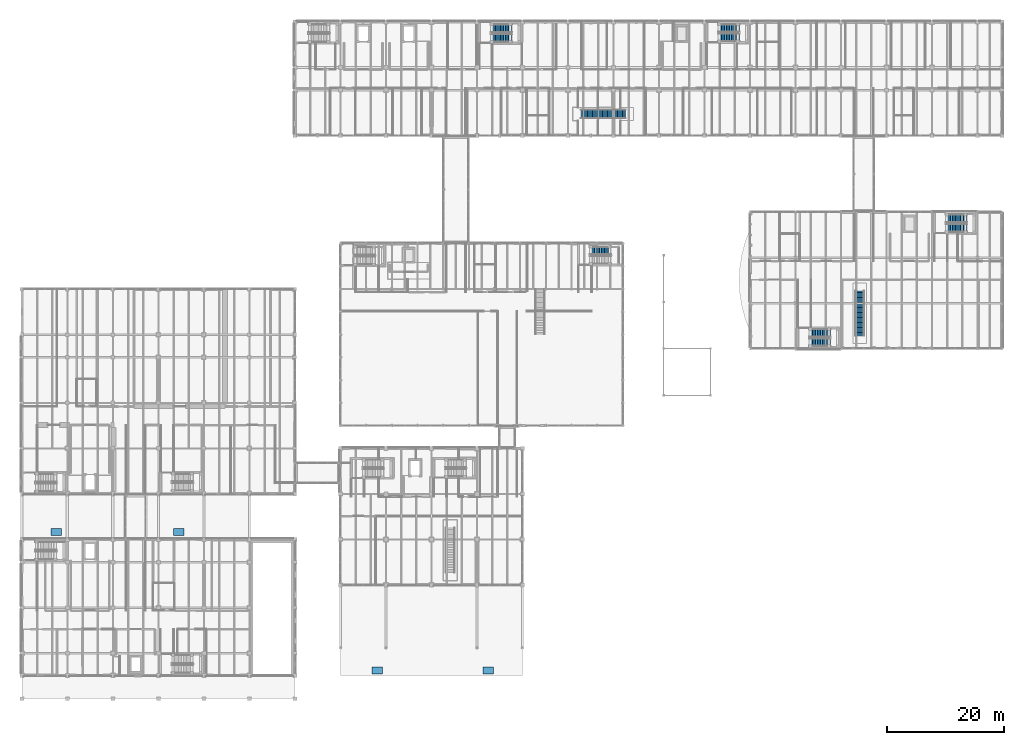
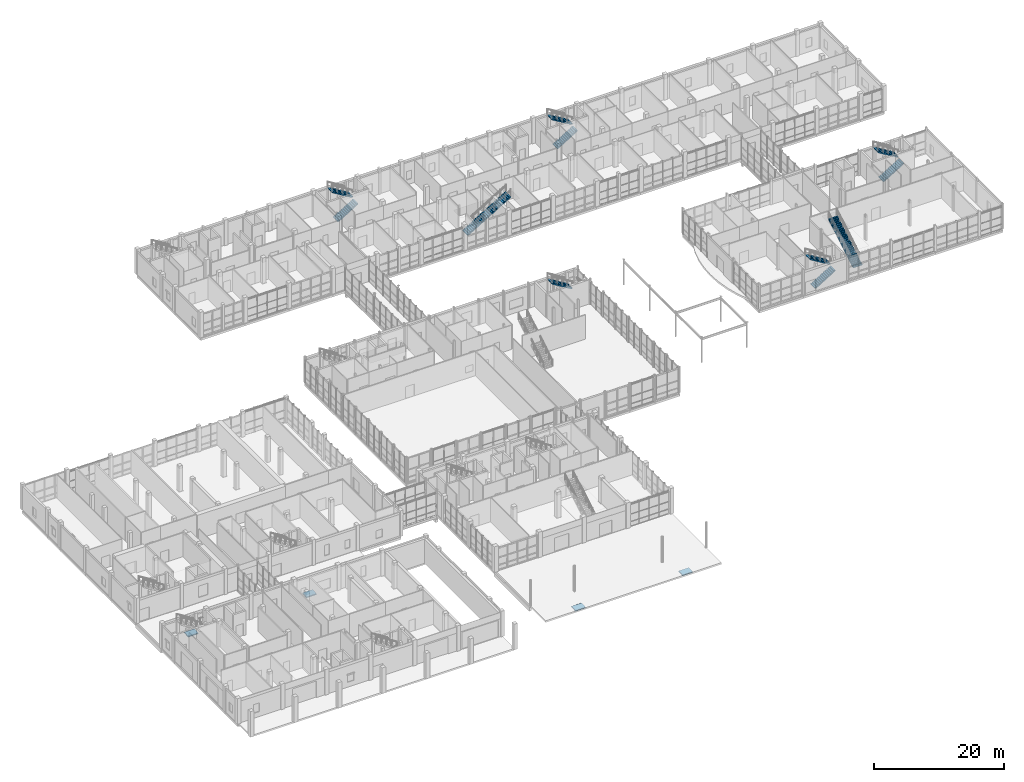
# One storey, part 107 of 131: 11 stair flights, 4 ramp flights, 11 elements without a shape of their own.
"""IFC4 building model written with IfcOpenShell, lengths in metres."""

from ifc_helpers import new_model, si_unit, direction, frame, origin, place, context, subcontext, project, spatial, polyline, outline, extrude, material, layer, layer_set, type_object, element, aggregate, save


model = new_model("IFC4")

# Units and contexts
model_context = context("Model", 3, precision=1e-05, world=origin(), true_north=direction((0.0, 1.0)))
body_context = subcontext(model_context, "Body", "Model", "MODEL_VIEW")
ifc_project = project(units=[si_unit("LENGTHUNIT", "METRE"), si_unit("AREAUNIT", "SQUARE_METRE"), si_unit("VOLUMEUNIT", "CUBIC_METRE"), si_unit("PLANEANGLEUNIT", "RADIAN"), si_unit("MASSUNIT", "GRAM", prefix="KILO")], contexts=[model_context])

# Site, building, storey
site_placement = place(None, origin())
site = spatial("IfcSite", under=ifc_project, at=site_placement, CompositionType="ELEMENT")
building_placement = place(site_placement, origin())
building = spatial("IfcBuilding", under=site, at=building_placement, Name="Celorna Specialist Clinic", CompositionType="ELEMENT")
storey_placement = place(building_placement, origin())
storey = spatial("IfcBuildingStorey", under=building, at=storey_placement, Name="L00", CompositionType="ELEMENT", Elevation=0.0)

# Stair, stair flights
ifc_material = material(Name="Concrete C35/45", Category="concrete")
stair_type_1 = type_object("IfcStairType", Name="ST-02", PredefinedType="HALF_TURN_STAIR", material=ifc_material)
stair_1_placement = place(storey_placement, origin())
stair_1 = element("IfcStair", 1, at=stair_1_placement, inside=storey, type_object=stair_type_1, Name="L00 Protected exit stair ST-02", PredefinedType="HALF_TURN_STAIR")
stair_flight_type_1 = type_object("IfcStairFlightType", Name="SFL-02", PredefinedType="STRAIGHT", material=ifc_material)
stair_flight_1_placement = place(storey_placement, frame((80.340087890625, 113.2451171875, 0.0), z_axis=(0.0, 0.0, 1.0), x_axis=(1.0, 0.0, 0.0)))
stair_flight_1 = element("IfcStairFlight", 2, at=stair_flight_1_placement, type_object=stair_flight_type_1, Name="ST-02 flight 1", NumberOfRisers=14, NumberOfTreads=13, PredefinedType="STRAIGHT", RiserHeight=0.171428571, TreadLength=0.28, context=body_context, shape_type="SweptSolid", body=[
    extrude(outline(polyline([(0.0, 0.0), (0.0, 0.17138671875), (0.280029296875, 0.17138671875), (0.280029296875, 0.3427734375), (0.56005859375, 0.3427734375), (0.56005859375, 0.514404296875), (0.840087890625, 0.514404296875), (0.840087890625, 0.685791015625), (1.1201171875, 0.685791015625), (1.1201171875, 0.857177734375), (1.39990234375, 0.857177734375), (1.39990234375, 1.028564453125), (1.679931640625, 1.028564453125), (1.679931640625, 1.199951171875), (1.9599609375, 1.199951171875), (1.9599609375, 1.371337890625), (2.239990234375, 1.371337890625), (2.239990234375, 1.54296875), (2.52001953125, 1.54296875), (2.52001953125, 1.71435546875), (2.800048828125, 1.71435546875), (2.800048828125, 1.8857421875), (3.080078125, 1.8857421875), (3.080078125, 2.05712890625), (3.360107421875, 2.05712890625), (3.360107421875, 2.228515625), (3.639892578125, 2.228515625), (3.639892578125, 2.39990234375), (3.639892578125, 2.052734375), (0.287109375, 0.0), (0.0, 0.0)])), frame((0.0, 0.72509765625, 0.0), z_axis=(0.0, -1.0, 0.0), x_axis=(1.0, 0.0, 0.0)), (0.0, 0.0, 1.0), 1.449951171875),
])
stair_flight_2_placement = place(storey_placement, frame((83.97998046875, 114.89501953125, 2.39990234375), z_axis=(0.0, 0.0, 1.0), x_axis=(-1.0, 0.0, 0.0)))
stair_flight_2 = element("IfcStairFlight", 3, at=stair_flight_2_placement, type_object=stair_flight_type_1, Name="ST-02 flight 2", NumberOfRisers=14, NumberOfTreads=13, PredefinedType="STRAIGHT", RiserHeight=0.171428571, TreadLength=0.28, context=body_context, shape_type="SweptSolid", body=[
    extrude(outline(polyline([(0.0, 0.0), (0.0, 0.17138671875), (0.280029296875, 0.17138671875), (0.280029296875, 0.3427734375), (0.56005859375, 0.3427734375), (0.56005859375, 0.514404296875), (0.840087890625, 0.514404296875), (0.840087890625, 0.685791015625), (1.1201171875, 0.685791015625), (1.1201171875, 0.857177734375), (1.39990234375, 0.857177734375), (1.39990234375, 1.028564453125), (1.679931640625, 1.028564453125), (1.679931640625, 1.199951171875), (1.9599609375, 1.199951171875), (1.9599609375, 1.371337890625), (2.239990234375, 1.371337890625), (2.239990234375, 1.54296875), (2.52001953125, 1.54296875), (2.52001953125, 1.71435546875), (2.800048828125, 1.71435546875), (2.800048828125, 1.8857421875), (3.080078125, 1.8857421875), (3.080078125, 2.05712890625), (3.360107421875, 2.05712890625), (3.360107421875, 2.228515625), (3.639892578125, 2.228515625), (3.639892578125, 2.39990234375), (3.639892578125, 2.052734375), (0.287109375, 0.0), (0.0, 0.0)])), frame((0.0, 0.72509765625, 0.0), z_axis=(0.0, -1.0, 0.0), x_axis=(1.0, 0.0, 0.0)), (0.0, 0.0, 1.0), 1.449951171875),
])
aggregate(stair_1, [stair_flight_1, stair_flight_2])

stair_2_placement = place(storey_placement, origin())
stair_2 = element("IfcStair", 4, at=stair_2_placement, inside=storey, type_object=stair_type_1, Name="L00 Protected exit stair ST-12", PredefinedType="HALF_TURN_STAIR")
stair_flight_3_placement = place(storey_placement, frame((158.340087890625, 80.64501953125, 0.0), z_axis=(0.0, 0.0, 1.0), x_axis=(1.0, 0.0, 0.0)))
stair_flight_3 = element("IfcStairFlight", 5, at=stair_flight_3_placement, type_object=stair_flight_type_1, Name="ST-12 flight 1", NumberOfRisers=14, NumberOfTreads=13, PredefinedType="STRAIGHT", RiserHeight=0.171428571, TreadLength=0.28, context=body_context, shape_type="SweptSolid", body=[
    extrude(outline(polyline([(0.0, 0.0), (0.0, 0.17138671875), (0.280029296875, 0.17138671875), (0.280029296875, 0.3427734375), (0.56005859375, 0.3427734375), (0.56005859375, 0.514404296875), (0.840087890625, 0.514404296875), (0.840087890625, 0.685791015625), (1.1201171875, 0.685791015625), (1.1201171875, 0.857177734375), (1.39990234375, 0.857177734375), (1.39990234375, 1.028564453125), (1.679931640625, 1.028564453125), (1.679931640625, 1.199951171875), (1.9599609375, 1.199951171875), (1.9599609375, 1.371337890625), (2.239990234375, 1.371337890625), (2.239990234375, 1.54296875), (2.52001953125, 1.54296875), (2.52001953125, 1.71435546875), (2.800048828125, 1.71435546875), (2.800048828125, 1.8857421875), (3.080078125, 1.8857421875), (3.080078125, 2.05712890625), (3.360107421875, 2.05712890625), (3.360107421875, 2.228515625), (3.639892578125, 2.228515625), (3.639892578125, 2.39990234375), (3.639892578125, 2.052734375), (0.287109375, 0.0), (0.0, 0.0)])), frame((0.0, 0.72509765625, 0.0), z_axis=(0.0, -1.0, 0.0), x_axis=(1.0, 0.0, 0.0)), (0.0, 0.0, 1.0), 1.449951171875),
])
stair_flight_4_placement = place(storey_placement, frame((161.97998046875, 82.294921875, 2.39990234375), z_axis=(0.0, 0.0, 1.0), x_axis=(-1.0, 0.0, 0.0)))
stair_flight_4 = element("IfcStairFlight", 6, at=stair_flight_4_placement, type_object=stair_flight_type_1, Name="ST-12 flight 2", NumberOfRisers=14, NumberOfTreads=13, PredefinedType="STRAIGHT", RiserHeight=0.171428571, TreadLength=0.28, context=body_context, shape_type="SweptSolid", body=[
    extrude(outline(polyline([(0.0, 0.0), (0.0, 0.17138671875), (0.280029296875, 0.17138671875), (0.280029296875, 0.3427734375), (0.56005859375, 0.3427734375), (0.56005859375, 0.514404296875), (0.840087890625, 0.514404296875), (0.840087890625, 0.685791015625), (1.1201171875, 0.685791015625), (1.1201171875, 0.857177734375), (1.39990234375, 0.857177734375), (1.39990234375, 1.028564453125), (1.679931640625, 1.028564453125), (1.679931640625, 1.199951171875), (1.9599609375, 1.199951171875), (1.9599609375, 1.371337890625), (2.239990234375, 1.371337890625), (2.239990234375, 1.54296875), (2.52001953125, 1.54296875), (2.52001953125, 1.71435546875), (2.800048828125, 1.71435546875), (2.800048828125, 1.8857421875), (3.080078125, 1.8857421875), (3.080078125, 2.05712890625), (3.360107421875, 2.05712890625), (3.360107421875, 2.228515625), (3.639892578125, 2.228515625), (3.639892578125, 2.39990234375), (3.639892578125, 2.052734375), (0.287109375, 0.0), (0.0, 0.0)])), frame((0.0, 0.72509765625, 0.0), z_axis=(0.0, -1.0, 0.0), x_axis=(1.0, 0.0, 0.0)), (0.0, 0.0, 1.0), 1.449951171875),
])
aggregate(stair_2, [stair_flight_3, stair_flight_4])

stair_type_2 = type_object("IfcStairType", Name="ST-03", PredefinedType="HALF_TURN_STAIR", material=ifc_material)
stair_3_placement = place(storey_placement, origin())
stair_3 = element("IfcStair", 7, at=stair_3_placement, inside=storey, type_object=stair_type_2, Name="L00 Protected exit stair ST-03", PredefinedType="HALF_TURN_STAIR")
stair_flight_type_2 = type_object("IfcStairFlightType", Name="SFL-03", PredefinedType="STRAIGHT", material=ifc_material)
stair_flight_5_placement = place(storey_placement, frame((119.340087890625, 113.320068359375, 0.0), z_axis=(0.0, 0.0, 1.0), x_axis=(1.0, 0.0, 0.0)))
stair_flight_5 = element("IfcStairFlight", 8, at=stair_flight_5_placement, type_object=stair_flight_type_2, Name="ST-03 flight 1", NumberOfRisers=14, NumberOfTreads=13, PredefinedType="STRAIGHT", RiserHeight=0.171428571, TreadLength=0.28, context=body_context, shape_type="SweptSolid", body=[
    extrude(outline(polyline([(0.0, 0.0), (0.0, 0.17138671875), (0.280029296875, 0.17138671875), (0.280029296875, 0.3427734375), (0.56005859375, 0.3427734375), (0.56005859375, 0.514404296875), (0.840087890625, 0.514404296875), (0.840087890625, 0.685791015625), (1.1201171875, 0.685791015625), (1.1201171875, 0.857177734375), (1.39990234375, 0.857177734375), (1.39990234375, 1.028564453125), (1.679931640625, 1.028564453125), (1.679931640625, 1.199951171875), (1.9599609375, 1.199951171875), (1.9599609375, 1.371337890625), (2.239990234375, 1.371337890625), (2.239990234375, 1.54296875), (2.52001953125, 1.54296875), (2.52001953125, 1.71435546875), (2.800048828125, 1.71435546875), (2.800048828125, 1.8857421875), (3.080078125, 1.8857421875), (3.080078125, 2.05712890625), (3.360107421875, 2.05712890625), (3.360107421875, 2.228515625), (3.639892578125, 2.228515625), (3.639892578125, 2.39990234375), (3.639892578125, 2.052734375), (0.287109375, 0.0), (0.0, 0.0)])), frame((0.0, 0.699951171875, 0.0), z_axis=(0.0, -1.0, 0.0), x_axis=(1.0, 0.0, 0.0)), (0.0, 0.0, 1.0), 1.39990234375),
])
stair_flight_6_placement = place(storey_placement, frame((122.97998046875, 114.919921875, 2.39990234375), z_axis=(0.0, 0.0, 1.0), x_axis=(-1.0, 0.0, 0.0)))
stair_flight_6 = element("IfcStairFlight", 9, at=stair_flight_6_placement, type_object=stair_flight_type_2, Name="ST-03 flight 2", NumberOfRisers=14, NumberOfTreads=13, PredefinedType="STRAIGHT", RiserHeight=0.171428571, TreadLength=0.28, context=body_context, shape_type="SweptSolid", body=[
    extrude(outline(polyline([(0.0, 0.0), (0.0, 0.17138671875), (0.280029296875, 0.17138671875), (0.280029296875, 0.3427734375), (0.56005859375, 0.3427734375), (0.56005859375, 0.514404296875), (0.840087890625, 0.514404296875), (0.840087890625, 0.685791015625), (1.1201171875, 0.685791015625), (1.1201171875, 0.857177734375), (1.39990234375, 0.857177734375), (1.39990234375, 1.028564453125), (1.679931640625, 1.028564453125), (1.679931640625, 1.199951171875), (1.9599609375, 1.199951171875), (1.9599609375, 1.371337890625), (2.239990234375, 1.371337890625), (2.239990234375, 1.54296875), (2.52001953125, 1.54296875), (2.52001953125, 1.71435546875), (2.800048828125, 1.71435546875), (2.800048828125, 1.8857421875), (3.080078125, 1.8857421875), (3.080078125, 2.05712890625), (3.360107421875, 2.05712890625), (3.360107421875, 2.228515625), (3.639892578125, 2.228515625), (3.639892578125, 2.39990234375), (3.639892578125, 2.052734375), (0.287109375, 0.0), (0.0, 0.0)])), frame((0.0, 0.699951171875, 0.0), z_axis=(0.0, -1.0, 0.0), x_axis=(1.0, 0.0, 0.0)), (0.0, 0.0, 1.0), 1.39990234375),
])
aggregate(stair_3, [stair_flight_5, stair_flight_6])

# Stair, stair flight
stair_4_placement = place(storey_placement, origin())
stair_4 = element("IfcStair", 10, at=stair_4_placement, inside=storey, type_object=stair_type_2, Name="L00 Protected exit stair ST-11", PredefinedType="HALF_TURN_STAIR")
stair_flight_7_placement = place(storey_placement, frame((100.97998046875, 76.780029296875, 2.39990234375), z_axis=(0.0, 0.0, 1.0), x_axis=(-1.0, 0.0, 0.0)))
stair_flight_7 = element("IfcStairFlight", 11, at=stair_flight_7_placement, type_object=stair_flight_type_2, Name="ST-11 flight 2", NumberOfRisers=14, NumberOfTreads=13, PredefinedType="STRAIGHT", RiserHeight=0.171428571, TreadLength=0.28, context=body_context, shape_type="SweptSolid", body=[
    extrude(outline(polyline([(0.0, 0.0), (0.0, 0.17138671875), (0.280029296875, 0.17138671875), (0.280029296875, 0.3427734375), (0.56005859375, 0.3427734375), (0.56005859375, 0.514404296875), (0.840087890625, 0.514404296875), (0.840087890625, 0.685791015625), (1.1201171875, 0.685791015625), (1.1201171875, 0.857177734375), (1.39990234375, 0.857177734375), (1.39990234375, 1.028564453125), (1.679931640625, 1.028564453125), (1.679931640625, 1.199951171875), (1.9599609375, 1.199951171875), (1.9599609375, 1.371337890625), (2.239990234375, 1.371337890625), (2.239990234375, 1.54296875), (2.52001953125, 1.54296875), (2.52001953125, 1.71435546875), (2.800048828125, 1.71435546875), (2.800048828125, 1.8857421875), (3.080078125, 1.8857421875), (3.080078125, 2.05712890625), (3.360107421875, 2.05712890625), (3.360107421875, 2.228515625), (3.639892578125, 2.228515625), (3.639892578125, 2.39990234375), (3.639892578125, 2.052734375), (0.287109375, 0.0), (0.0, 0.0)])), frame((0.0, 0.699951171875, 0.0), z_axis=(0.0, -1.0, 0.0), x_axis=(1.0, 0.0, 0.0)), (0.0, 0.0, 1.0), 1.39990234375),
])
aggregate(stair_4, [stair_flight_7])

# Stair, stair flights
stair_5_placement = place(storey_placement, origin())
stair_5 = element("IfcStair", 12, at=stair_5_placement, inside=storey, type_object=stair_type_2, Name="L00 Protected exit stair ST-13", PredefinedType="HALF_TURN_STAIR")
stair_flight_8_placement = place(storey_placement, frame((134.93994140625, 61.080078125, 0.0), z_axis=(0.0, 0.0, 1.0), x_axis=(1.0, 0.0, 0.0)))
stair_flight_8 = element("IfcStairFlight", 13, at=stair_flight_8_placement, type_object=stair_flight_type_2, Name="ST-13 flight 1", NumberOfRisers=14, NumberOfTreads=13, PredefinedType="STRAIGHT", RiserHeight=0.171428571, TreadLength=0.28, context=body_context, shape_type="SweptSolid", body=[
    extrude(outline(polyline([(0.0, 0.0), (0.0, 0.17138671875), (0.280029296875, 0.17138671875), (0.280029296875, 0.3427734375), (0.56005859375, 0.3427734375), (0.56005859375, 0.514404296875), (0.840087890625, 0.514404296875), (0.840087890625, 0.685791015625), (1.1201171875, 0.685791015625), (1.1201171875, 0.857177734375), (1.39990234375, 0.857177734375), (1.39990234375, 1.028564453125), (1.679931640625, 1.028564453125), (1.679931640625, 1.199951171875), (1.9599609375, 1.199951171875), (1.9599609375, 1.371337890625), (2.239990234375, 1.371337890625), (2.239990234375, 1.54296875), (2.52001953125, 1.54296875), (2.52001953125, 1.71435546875), (2.800048828125, 1.71435546875), (2.800048828125, 1.8857421875), (3.080078125, 1.8857421875), (3.080078125, 2.05712890625), (3.360107421875, 2.05712890625), (3.360107421875, 2.228515625), (3.639892578125, 2.228515625), (3.639892578125, 2.39990234375), (3.639892578125, 2.052734375), (0.287109375, 0.0), (0.0, 0.0)])), frame((0.0, 0.699951171875, 0.0), z_axis=(0.0, -1.0, 0.0), x_axis=(1.0, 0.0, 0.0)), (0.0, 0.0, 1.0), 1.39990234375),
])
stair_flight_9_placement = place(storey_placement, frame((138.580078125, 62.679931640625, 2.39990234375), z_axis=(0.0, 0.0, 1.0), x_axis=(-1.0, 0.0, 0.0)))
stair_flight_9 = element("IfcStairFlight", 14, at=stair_flight_9_placement, type_object=stair_flight_type_2, Name="ST-13 flight 2", NumberOfRisers=14, NumberOfTreads=13, PredefinedType="STRAIGHT", RiserHeight=0.171428571, TreadLength=0.28, context=body_context, shape_type="SweptSolid", body=[
    extrude(outline(polyline([(0.0, 0.0), (0.0, 0.17138671875), (0.280029296875, 0.17138671875), (0.280029296875, 0.3427734375), (0.56005859375, 0.3427734375), (0.56005859375, 0.514404296875), (0.840087890625, 0.514404296875), (0.840087890625, 0.685791015625), (1.1201171875, 0.685791015625), (1.1201171875, 0.857177734375), (1.39990234375, 0.857177734375), (1.39990234375, 1.028564453125), (1.679931640625, 1.028564453125), (1.679931640625, 1.199951171875), (1.9599609375, 1.199951171875), (1.9599609375, 1.371337890625), (2.239990234375, 1.371337890625), (2.239990234375, 1.54296875), (2.52001953125, 1.54296875), (2.52001953125, 1.71435546875), (2.800048828125, 1.71435546875), (2.800048828125, 1.8857421875), (3.080078125, 1.8857421875), (3.080078125, 2.05712890625), (3.360107421875, 2.05712890625), (3.360107421875, 2.228515625), (3.639892578125, 2.228515625), (3.639892578125, 2.39990234375), (3.639892578125, 2.052734375), (0.287109375, 0.0), (0.0, 0.0)])), frame((0.0, 0.699951171875, 0.0), z_axis=(0.0, -1.0, 0.0), x_axis=(1.0, 0.0, 0.0)), (0.0, 0.0, 1.0), 1.39990234375),
])
aggregate(stair_5, [stair_flight_8, stair_flight_9])

# Stair, stair flight
stair_type_3 = type_object("IfcStairType", Name="ST-05", PredefinedType="STRAIGHT_RUN_STAIR", material=ifc_material)
stair_6_placement = place(storey_placement, origin())
stair_6 = element("IfcStair", 15, at=stair_6_placement, inside=storey, type_object=stair_type_3, Name="Feature straight stair ST-18 L00", PredefinedType="STRAIGHT_RUN_STAIR")
stair_flight_type_3 = type_object("IfcStairFlightType", Name="SFL-05", PredefinedType="STRAIGHT", material=ifc_material)
stair_flight_10_placement = place(storey_placement, frame((143.60009765625, 62.199951171875, 0.0), z_axis=(0.0, 0.0, 1.0), x_axis=(0.0, 1.0, 0.0)))
stair_flight_10 = element("IfcStairFlight", 16, at=stair_flight_10_placement, type_object=stair_flight_type_3, Name="ST-18 flight 1", NumberOfRisers=28, NumberOfTreads=27, PredefinedType="STRAIGHT", RiserHeight=0.171428571, TreadLength=0.285, context=body_context, shape_type="SweptSolid", body=[
    extrude(outline(polyline([(0.0, 0.0), (0.0, 0.17138671875), (0.284912109375, 0.17138671875), (0.284912109375, 0.3427734375), (0.570068359375, 0.3427734375), (0.570068359375, 0.514404296875), (0.85498046875, 0.514404296875), (0.85498046875, 0.685791015625), (1.139892578125, 0.685791015625), (1.139892578125, 0.857177734375), (1.425048828125, 0.857177734375), (1.425048828125, 1.028564453125), (1.7099609375, 1.028564453125), (1.7099609375, 1.199951171875), (1.9951171875, 1.199951171875), (1.9951171875, 1.371337890625), (2.280029296875, 1.371337890625), (2.280029296875, 1.54296875), (2.56494140625, 1.54296875), (2.56494140625, 1.71435546875), (2.85009765625, 1.71435546875), (2.85009765625, 1.8857421875), (3.135009765625, 1.8857421875), (3.135009765625, 2.05712890625), (3.419921875, 2.05712890625), (3.419921875, 2.228515625), (3.705078125, 2.228515625), (3.705078125, 2.39990234375), (3.989990234375, 2.39990234375), (3.989990234375, 2.571533203125), (4.27490234375, 2.571533203125), (4.27490234375, 2.742919921875), (4.56005859375, 2.742919921875), (4.56005859375, 2.914306640625), (4.844970703125, 2.914306640625), (4.844970703125, 3.085693359375), (5.1298828125, 3.085693359375), (5.1298828125, 3.257080078125), (5.4150390625, 3.257080078125), (5.4150390625, 3.428466796875), (5.699951171875, 3.428466796875), (5.699951171875, 3.60009765625), (5.985107421875, 3.60009765625), (5.985107421875, 3.771484375), (6.27001953125, 3.771484375), (6.27001953125, 3.94287109375), (6.554931640625, 3.94287109375), (6.554931640625, 4.1142578125), (6.840087890625, 4.1142578125), (6.840087890625, 4.28564453125), (7.125, 4.28564453125), (7.125, 4.45703125), (7.409912109375, 4.45703125), (7.409912109375, 4.628662109375), (7.695068359375, 4.628662109375), (7.695068359375, 4.800048828125), (7.695068359375, 4.44189453125), (0.310302734375, 0.0), (0.0, 0.0)])), frame((0.0, 0.800048828125, 0.0), z_axis=(0.0, -1.0, 0.0), x_axis=(1.0, 0.0, 0.0)), (0.0, 0.0, 1.0), 1.60009765625),
])
aggregate(stair_6, [stair_flight_10])

stair_type_4 = type_object("IfcStairType", Name="ST-07", PredefinedType="STRAIGHT_RUN_STAIR", material=ifc_material)
stair_7_placement = place(storey_placement, origin())
stair_7 = element("IfcStair", 17, at=stair_7_placement, inside=storey, type_object=stair_type_4, Name="Feature straight stair ST-16 L00", PredefinedType="STRAIGHT_RUN_STAIR")
stair_flight_type_4 = type_object("IfcStairFlightType", Name="SFL-07", PredefinedType="STRAIGHT", material=ifc_material)
stair_flight_11_placement = place(storey_placement, frame((95.800048828125, 100.199951171875, 0.0), z_axis=(0.0, 0.0, 1.0), x_axis=(1.0, 0.0, 0.0)))
stair_flight_11 = element("IfcStairFlight", 18, at=stair_flight_11_placement, type_object=stair_flight_type_4, Name="ST-16 flight 1", NumberOfRisers=28, NumberOfTreads=27, PredefinedType="STRAIGHT", RiserHeight=0.171428571, TreadLength=0.285, context=body_context, shape_type="SweptSolid", body=[
    extrude(outline(polyline([(0.0, 0.0), (0.0, 0.17138671875), (0.284912109375, 0.17138671875), (0.284912109375, 0.3427734375), (0.570068359375, 0.3427734375), (0.570068359375, 0.514404296875), (0.85498046875, 0.514404296875), (0.85498046875, 0.685791015625), (1.139892578125, 0.685791015625), (1.139892578125, 0.857177734375), (1.425048828125, 0.857177734375), (1.425048828125, 1.028564453125), (1.7099609375, 1.028564453125), (1.7099609375, 1.199951171875), (1.9951171875, 1.199951171875), (1.9951171875, 1.371337890625), (2.280029296875, 1.371337890625), (2.280029296875, 1.54296875), (2.56494140625, 1.54296875), (2.56494140625, 1.71435546875), (2.85009765625, 1.71435546875), (2.85009765625, 1.8857421875), (3.135009765625, 1.8857421875), (3.135009765625, 2.05712890625), (3.419921875, 2.05712890625), (3.419921875, 2.228515625), (3.705078125, 2.228515625), (3.705078125, 2.39990234375), (3.989990234375, 2.39990234375), (3.989990234375, 2.571533203125), (4.27490234375, 2.571533203125), (4.27490234375, 2.742919921875), (4.56005859375, 2.742919921875), (4.56005859375, 2.914306640625), (4.844970703125, 2.914306640625), (4.844970703125, 3.085693359375), (5.1298828125, 3.085693359375), (5.1298828125, 3.257080078125), (5.4150390625, 3.257080078125), (5.4150390625, 3.428466796875), (5.699951171875, 3.428466796875), (5.699951171875, 3.60009765625), (5.985107421875, 3.60009765625), (5.985107421875, 3.771484375), (6.27001953125, 3.771484375), (6.27001953125, 3.94287109375), (6.554931640625, 3.94287109375), (6.554931640625, 4.1142578125), (6.840087890625, 4.1142578125), (6.840087890625, 4.28564453125), (7.125, 4.28564453125), (7.125, 4.45703125), (7.409912109375, 4.45703125), (7.409912109375, 4.628662109375), (7.695068359375, 4.628662109375), (7.695068359375, 4.800048828125), (7.695068359375, 4.44189453125), (0.310302734375, 0.0), (0.0, 0.0)])), frame((0.0, 0.77490234375, 0.0), z_axis=(0.0, -1.0, 0.0), x_axis=(1.0, 0.0, 0.0)), (0.0, 0.0, 1.0), 1.550048828125),
])
aggregate(stair_7, [stair_flight_11])

# Ramp, ramp flight
ramp_type = type_object("IfcRampType", Name="RMP-02", PredefinedType="STRAIGHT_RUN_RAMP", material=ifc_material)
ramp_1_placement = place(storey_placement, origin())
ramp_1 = element("IfcRamp", 19, at=ramp_1_placement, inside=storey, type_object=ramp_type, Name="Accessible entrance ramp AR-01", PredefinedType="STRAIGHT_RUN_RAMP")
ifc_layer = layer(ifc_material, 0.199951171875, Name="Concrete C35/45")
ifc_layer_set = layer_set([ifc_layer], Name="Concrete C35/45")
ramp_flight_type = type_object("IfcRampFlightType", Name="RMF-02", PredefinedType="STRAIGHT", material=ifc_layer_set)
ramp_flight_1_placement = place(storey_placement, frame((60.0, 4.199951171875, -0.080078125), z_axis=(0.0, -0.066586380037, 0.997780664271), x_axis=(1.0, 0.0, 0.0)))
ramp_flight_1 = element("IfcRampFlight", 20, at=ramp_flight_1_placement, type_object=ramp_flight_type, Name="Accessible ramp flight ARF-01", PredefinedType="STRAIGHT", context=body_context, shape_type="SweptSolid", body=[
    extrude(outline(polyline([(0.0, 0.0), (1.800048828125, 0.0), (1.800048828125, 1.2026201898303976), (0.0, 1.2026201898303976), (0.0, 0.0)])), origin(), (0.0, 0.0, -1.0), 0.199951171875),
])
aggregate(ramp_1, [ramp_flight_1])

ramp_2_placement = place(storey_placement, origin())
ramp_2 = element("IfcRamp", 21, at=ramp_2_placement, inside=storey, type_object=ramp_type, Name="Accessible entrance ramp AR-02", PredefinedType="STRAIGHT_RUN_RAMP")
ramp_flight_2_placement = place(storey_placement, frame((79.0, 4.199951171875, -0.080078125), z_axis=(0.0, -0.066586380037, 0.997780664271), x_axis=(1.0, 0.0, 0.0)))
ramp_flight_2 = element("IfcRampFlight", 22, at=ramp_flight_2_placement, type_object=ramp_flight_type, Name="Accessible ramp flight ARF-02", PredefinedType="STRAIGHT", context=body_context, shape_type="SweptSolid", body=[
    extrude(outline(polyline([(0.0, 0.0), (1.800048828125, 0.0), (1.800048828125, 1.2026201898303976), (0.0, 1.2026201898303976), (0.0, 0.0)])), origin(), (0.0, 0.0, -1.0), 0.199951171875),
])
aggregate(ramp_2, [ramp_flight_2])

ramp_3_placement = place(storey_placement, origin())
ramp_3 = element("IfcRamp", 23, at=ramp_3_placement, inside=storey, type_object=ramp_type, Name="Accessible entrance ramp AR-03", PredefinedType="STRAIGHT_RUN_RAMP")
ramp_flight_3_placement = place(storey_placement, frame((5.0, 28.0, -0.080078125), z_axis=(0.0, -0.066586380037, 0.997780664271), x_axis=(1.0, 0.0, 0.0)))
ramp_flight_3 = element("IfcRampFlight", 24, at=ramp_flight_3_placement, type_object=ramp_flight_type, Name="Accessible ramp flight ARF-03", PredefinedType="STRAIGHT", context=body_context, shape_type="SweptSolid", body=[
    extrude(outline(polyline([(0.0, 0.0), (1.800048828125, 0.0), (1.800048828125, 1.2026201898303976), (0.0, 1.2026201898303976), (0.0, 0.0)])), origin(), (0.0, 0.0, -1.0), 0.199951171875),
])
aggregate(ramp_3, [ramp_flight_3])

ramp_4_placement = place(storey_placement, origin())
ramp_4 = element("IfcRamp", 25, at=ramp_4_placement, inside=storey, type_object=ramp_type, Name="Accessible entrance ramp AR-04", PredefinedType="STRAIGHT_RUN_RAMP")
ramp_flight_4_placement = place(storey_placement, frame((26.0, 28.0, -0.080078125), z_axis=(0.0, -0.066586380037, 0.997780664271), x_axis=(1.0, 0.0, 0.0)))
ramp_flight_4 = element("IfcRampFlight", 26, at=ramp_flight_4_placement, type_object=ramp_flight_type, Name="Accessible ramp flight ARF-04", PredefinedType="STRAIGHT", context=body_context, shape_type="SweptSolid", body=[
    extrude(outline(polyline([(0.0, 0.0), (1.800048828125, 0.0), (1.800048828125, 1.2026201898303976), (0.0, 1.2026201898303976), (0.0, 0.0)])), origin(), (0.0, 0.0, -1.0), 0.199951171875),
])
aggregate(ramp_4, [ramp_flight_4])

save(model, "model.ifc")
